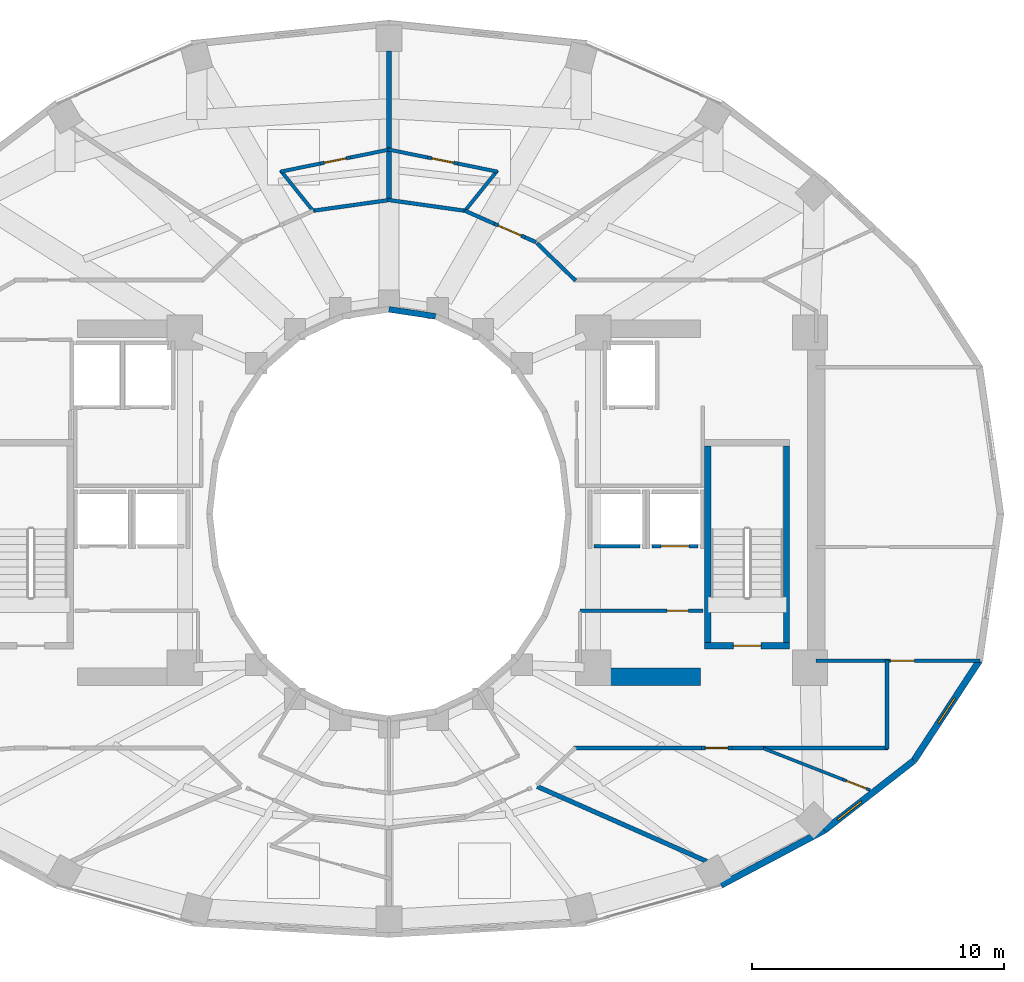
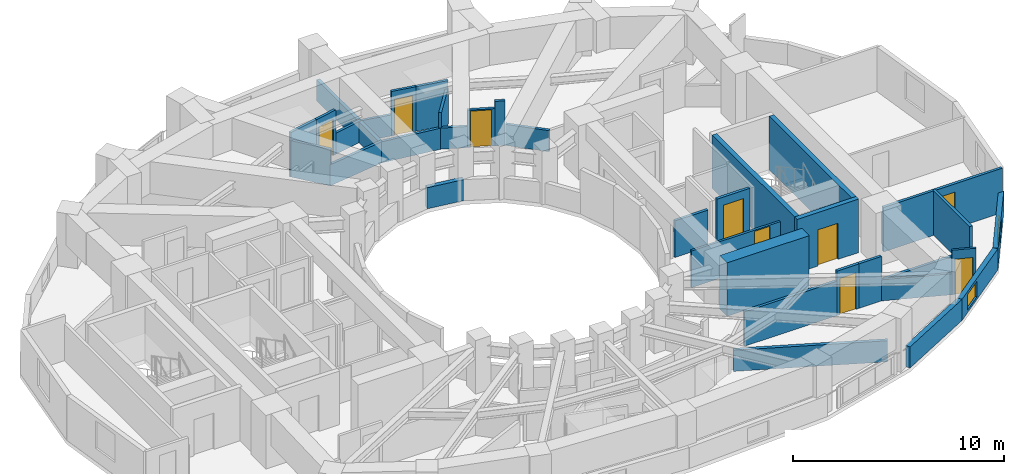
# One storey, part 11 of 16: 35 walls, 9 doors, 2 windows, 11 openings.
"""IFC4 building model written with IfcOpenShell, lengths in metres."""

from ifc_helpers import new_model, si_unit, direction, frame, frame_2d, origin, place, context, subcontext, project, spatial, rectangle, extrude, material, layer, layer_set, type_object, element, fill, save


model = new_model("IFC4")

# Units and contexts
model_context = context("Model", 3, precision=1e-05, world=origin(), true_north=direction((0.0, 1.0)))
body_context = subcontext(model_context, "Body", "Model", "MODEL_VIEW")
ifc_project = project(units=[si_unit("LENGTHUNIT", "METRE"), si_unit("AREAUNIT", "SQUARE_METRE"), si_unit("VOLUMEUNIT", "CUBIC_METRE"), si_unit("PLANEANGLEUNIT", "RADIAN"), si_unit("MASSUNIT", "GRAM", prefix="KILO")], contexts=[model_context])

# Site, building, storey
site_placement = place(None, origin())
site = spatial("IfcSite", under=ifc_project, at=site_placement, CompositionType="ELEMENT")
building_placement = place(site_placement, origin())
building = spatial("IfcBuilding", under=site, at=building_placement, Name="Solvane Sanctuary Tower", CompositionType="ELEMENT")
storey_placement = place(building_placement, frame((0.0, 0.0, 119.699951171875)))
storey = spatial("IfcBuildingStorey", under=building, at=storey_placement, Name="L36", CompositionType="ELEMENT", Elevation=119.699951171875)

# Wall
ifc_material_1 = material(Name="Concrete C60/75", Category="concrete")
ifc_layer_1 = layer(ifc_material_1, 0.699951171875, Name="Concrete C60/75")
ifc_layer_set_1 = layer_set([ifc_layer_1], Name="Concrete C60/75")
wall_type_1 = type_object("IfcWallType", Name="Wall W-CORE-700", PredefinedType="SHEAR", material=ifc_layer_set_1)
wall_1_placement = place(storey_placement, frame((39.85009765625, 16.550048828125, 0.0), z_axis=(0.0, 0.0, 1.0), x_axis=(1.0, 0.0, 0.0)))
element("IfcWall", 1, at=wall_1_placement, inside=storey, type_object=wall_type_1, Name="L36 Core Shear Wall EC-S", PredefinedType="SHEAR", context=body_context, shape_type="SweptSolid", body=[
    extrude(rectangle(XDim=4.5, YDim=0.699951171875, at=frame_2d((2.25, 0.0))), origin(), (0.0, 0.0, 1.0), 3.10009765625),
])

# Wall, opening, door
ifc_material_2 = material(Name="Acoustic Gypsum Partition Board")
ifc_layer_2 = layer(ifc_material_2, 0.14990234375, Name="Acoustic Gypsum Partition Board")
ifc_layer_set_2 = layer_set([ifc_layer_2], Name="Acoustic Gypsum Partition Board")
wall_type_2 = type_object("IfcWallType", Name="Wall W-CORR-150", PredefinedType="PARTITIONING", material=ifc_layer_set_2)
wall_2_placement = place(storey_placement, frame((48.949951171875, 17.1748046875, 0.0), z_axis=(0.0, 0.0, 1.0), x_axis=(1.0, 0.0, 0.0)))
wall_2 = element("IfcWall", 2, at=wall_2_placement, inside=storey, type_object=wall_type_2, Name="L36 East Shoulder South Wall", PredefinedType="PARTITIONING", context=body_context, shape_type="SweptSolid", body=[
    extrude(rectangle(XDim=6.49169921875, YDim=0.14990234375, at=frame_2d((3.245849609375, 0.0))), origin(), (0.0, 0.0, 1.0), 2.574951171875),
])
opening_1_placement = place(wall_2_placement, frame((2.947509765625, 0.0, 0.0)))
opening_1 = element("IfcOpeningElement", 3, at=opening_1_placement, cuts=wall_2, Name="Opening D-L36-09", PredefinedType="OPENING", context=body_context, shape_type="SweptSolid", body=[
    extrude(rectangle(XDim=0.949951171875, YDim=2.10009765625, at=frame_2d((0.47509765625, 1.050048828125))), frame((0.0, 0.0849609375, 0.0), z_axis=(0.0, -1.0, 0.0), x_axis=(1.0, 0.0, 0.0)), (0.0, 0.0, 1.0), 0.169921875),
])
ifc_material_3 = material(Name="Engineered Tropical Hardwood", Category="wood")
door_type_1 = type_object("IfcDoorType", Name="Door D-ROOM-950", OperationType="NOTDEFINED", PredefinedType="DOOR", material=ifc_material_3)
door_1_placement = place(opening_1_placement, origin())
door_1 = element("IfcDoor", 4, at=door_1_placement, inside=storey, type_object=door_type_1, Name="L36 East Shoulder South Door", OperationType="SINGLE_SWING_LEFT", OverallHeight=2.10009765625, OverallWidth=0.949951171875, PredefinedType="DOOR", context=body_context, shape_type="SweptSolid", body=[
    extrude(rectangle(XDim=0.949951171875, YDim=2.10009765625, at=frame_2d((0.47509765625, 1.050048828125))), frame((0.0, 0.02490234375, 0.0), z_axis=(0.0, -1.0, 0.0), x_axis=(1.0, 0.0, 0.0)), (0.0, 0.0, 1.0), 0.050048828125),
])
fill(opening_1, door_1)

# Walls
wall_3_placement = place(storey_placement, frame((37.867431640625, 33.748779296875, 0.0), z_axis=(0.0, 0.0, 1.0), x_axis=(0.717419568599, -0.696641344302, 0.0)))
element("IfcWall", 5, at=wall_3_placement, inside=storey, type_object=wall_type_2, Name="L36 NE Corner Throat Wall", PredefinedType="PARTITIONING", context=body_context, shape_type="SweptSolid", body=[
    extrude(rectangle(XDim=2.138427734375, YDim=0.14990234375, at=frame_2d((1.0693359375, 0.0))), origin(), (0.0, 0.0, 1.0), 1.219970703125),
])
wall_4_placement = place(storey_placement, frame((51.760009765625, 13.679931640625, 0.0), z_axis=(0.0, 0.0, 1.0), x_axis=(0.0, 1.0, 0.0)))
element("IfcWall", 6, at=wall_4_placement, inside=storey, type_object=wall_type_2, Name="L36 SE Corner Closer 1", PredefinedType="PARTITIONING", context=body_context, shape_type="SweptSolid", body=[
    extrude(rectangle(XDim=3.534912109375, YDim=0.14990234375, at=frame_2d((1.767578125, 0.0))), origin(), (0.0, 0.0, 1.0), 2.574951171875),
])
wall_5_placement = place(storey_placement, frame((39.330078125, 13.719970703125, 0.0), z_axis=(0.0, 0.0, 1.0), x_axis=(1.0, 0.0, 0.0)))
element("IfcWall", 7, at=wall_5_placement, inside=storey, type_object=wall_type_2, Name="L36 SE Corner Corridor Wall", PredefinedType="PARTITIONING", context=body_context, shape_type="SweptSolid", body=[
    extrude(rectangle(XDim=5.059814453125, YDim=0.14990234375, at=frame_2d((2.52978515625, 0.0))), origin(), (0.0, 0.0, 1.0), 1.991943359375),
])

# Wall, opening, door
wall_6_placement = place(storey_placement, frame((44.389892578125, 13.719970703125, 0.0), z_axis=(0.0, 0.0, 1.0), x_axis=(1.0, 0.0, 0.0)))
wall_6 = element("IfcWall", 8, at=wall_6_placement, inside=storey, type_object=wall_type_2, Name="L36 SE Corner Corridor Wall", PredefinedType="PARTITIONING", context=body_context, shape_type="SweptSolid", body=[
    extrude(rectangle(XDim=1.22021484375, YDim=0.14990234375, at=frame_2d((0.610107421875, 0.0))), origin(), (0.0, 0.0, 1.0), 2.574951171875),
])
opening_2_placement = place(wall_6_placement, frame((0.159912109375, 0.0, 0.0)))
opening_2 = element("IfcOpeningElement", 9, at=opening_2_placement, cuts=wall_6, Name="Opening D-L36-17", PredefinedType="OPENING", context=body_context, shape_type="SweptSolid", body=[
    extrude(rectangle(XDim=0.89990234375, YDim=2.10009765625, at=frame_2d((0.449951171875, 1.050048828125))), frame((0.0, 0.0849609375, 0.0), z_axis=(0.0, -1.0, 0.0), x_axis=(1.0, 0.0, 0.0)), (0.0, 0.0, 1.0), 0.169921875),
])
door_type_2 = type_object("IfcDoorType", Name="Door D-WET-900", OperationType="NOTDEFINED", PredefinedType="DOOR", material=ifc_material_3)
door_2_placement = place(opening_2_placement, origin())
door_2 = element("IfcDoor", 10, at=door_2_placement, inside=storey, type_object=door_type_2, Name="L36 SE Corner Salon Door", OperationType="SINGLE_SWING_LEFT", OverallHeight=2.10009765625, OverallWidth=0.89990234375, PredefinedType="DOOR", context=body_context, shape_type="SweptSolid", body=[
    extrude(rectangle(XDim=0.89990234375, YDim=2.10009765625, at=frame_2d((0.449951171875, 1.050048828125))), frame((0.0, 0.02490234375, 0.0), z_axis=(0.0, -1.0, 0.0), x_axis=(1.0, 0.0, 0.0)), (0.0, 0.0, 1.0), 0.050048828125),
])
fill(opening_2, door_2)

# Walls
wall_7_placement = place(storey_placement, frame((45.610107421875, 13.719970703125, 0.0), z_axis=(0.0, 0.0, 1.0), x_axis=(1.0, 0.0, 0.0)))
element("IfcWall", 11, at=wall_7_placement, inside=storey, type_object=wall_type_2, Name="L36 SE Corner Corridor Wall", PredefinedType="PARTITIONING", context=body_context, shape_type="SweptSolid", body=[
    extrude(rectangle(XDim=1.239990234375, YDim=0.14990234375, at=frame_2d((0.6201171875, 0.0))), origin(), (0.0, 0.0, 1.0), 2.574951171875),
])
wall_8_placement = place(storey_placement, frame((46.75, 13.719970703125, 0.0), z_axis=(0.0, 0.0, 1.0), x_axis=(1.0, 0.0, 0.0)))
element("IfcWall", 12, at=wall_8_placement, inside=storey, type_object=wall_type_2, Name="L36 SE Corner Wing Wall", PredefinedType="PARTITIONING", context=body_context, shape_type="SweptSolid", body=[
    extrude(rectangle(XDim=5.050048828125, YDim=0.14990234375, at=frame_2d((2.52490234375, 0.0))), origin(), (0.0, 0.0, 1.0), 1.219970703125),
])
wall_9_placement = place(storey_placement, frame((35.06640625, 35.024658203125, 0.0), z_axis=(0.0, 0.0, 1.0), x_axis=(-0.990254405439, 0.139270285808, 0.0)))
element("IfcWall", 13, at=wall_9_placement, inside=storey, type_object=wall_type_2, Name="L36 En-suite Inner Wall N1", PredefinedType="PARTITIONING", context=body_context, shape_type="SweptSolid", body=[
    extrude(rectangle(XDim=3.146728515625, YDim=0.14990234375, at=frame_2d((1.5732421875, 0.0))), origin(), (0.0, 0.0, 1.0), 1.219970703125),
])
wall_10_placement = place(storey_placement, frame((37.8349609375, 33.782958984375, 0.0), z_axis=(0.0, 0.0, 1.0), x_axis=(-0.914564252461, 0.404440636088, 0.0)))
element("IfcWall", 14, at=wall_10_placement, inside=storey, type_object=wall_type_2, Name="L36 Unit Corridor Wall N1", PredefinedType="PARTITIONING", context=body_context, shape_type="SweptSolid", body=[
    extrude(rectangle(XDim=0.48046875, YDim=0.14990234375, at=frame_2d((0.240234375, 0.0))), origin(), (0.0, 0.0, 1.0), 2.574951171875),
])

# Wall, opening, door
wall_11_placement = place(storey_placement, frame((37.3955078125, 33.977294921875, 0.0), z_axis=(0.0, 0.0, 1.0), x_axis=(-0.914352324799, 0.404919530444, 0.0)))
wall_11 = element("IfcWall", 15, at=wall_11_placement, inside=storey, type_object=wall_type_2, Name="L36 Unit Corridor Wall N1", PredefinedType="PARTITIONING", context=body_context, shape_type="SweptSolid", body=[
    extrude(rectangle(XDim=1.31982421875, YDim=0.14990234375, at=frame_2d((0.659912109375, 0.0))), origin(), (0.0, 0.0, 1.0), 2.16015625),
])
opening_3_placement = place(wall_11_placement, frame((0.159912109375, 0.0, 0.0)))
opening_3 = element("IfcOpeningElement", 16, at=opening_3_placement, cuts=wall_11, Name="Opening D-L36-21", PredefinedType="OPENING", context=body_context, shape_type="SweptSolid", body=[
    extrude(rectangle(XDim=1.0, YDim=2.10009765625, at=frame_2d((0.5, 1.050048828125))), frame((0.0, 0.0849609375, 0.0), z_axis=(0.0, -1.0, 0.0), x_axis=(1.0, 0.0, 0.0)), (0.0, 0.0, 1.0), 0.169921875),
])
door_type_3 = type_object("IfcDoorType", Name="Door D-UNIT", OperationType="NOTDEFINED", PredefinedType="DOOR", material=ifc_material_3)
door_3_placement = place(opening_3_placement, origin())
door_3 = element("IfcDoor", 17, at=door_3_placement, inside=storey, type_object=door_type_3, Name="L36 Unit Entrance Door N1", OperationType="SINGLE_SWING_LEFT", OverallHeight=2.10009765625, OverallWidth=1.0, PredefinedType="DOOR", context=body_context, shape_type="SweptSolid", body=[
    extrude(rectangle(XDim=1.0, YDim=2.10009765625, at=frame_2d((0.5, 1.050048828125))), frame((0.0, 0.02490234375, 0.0), z_axis=(0.0, -1.0, 0.0), x_axis=(1.0, 0.0, 0.0)), (0.0, 0.0, 1.0), 0.050048828125),
])
fill(opening_3, door_3)

# Walls
wall_12_placement = place(storey_placement, frame((36.188720703125, 34.51171875, 0.0), z_axis=(0.0, 0.0, 1.0), x_axis=(-0.914512451665, 0.404557753292, 0.0)))
element("IfcWall", 18, at=wall_12_placement, inside=storey, type_object=wall_type_2, Name="L36 Unit Corridor Wall N1", PredefinedType="PARTITIONING", context=body_context, shape_type="SweptSolid", body=[
    extrude(rectangle(XDim=1.290283203125, YDim=0.14990234375, at=frame_2d((0.64501953125, 0.0))), origin(), (0.0, 0.0, 1.0), 1.219970703125),
])
wall_13_placement = place(storey_placement, frame((32.049560546875, 35.462890625, 0.0), z_axis=(0.0, 0.0, 1.0), x_axis=(-0.990254405439, -0.139270285808, 0.0)))
element("IfcWall", 19, at=wall_13_placement, inside=storey, type_object=wall_type_2, Name="L36 En-suite Inner Wall N2", PredefinedType="PARTITIONING", context=body_context, shape_type="SweptSolid", body=[
    extrude(rectangle(XDim=3.146728515625, YDim=0.14990234375, at=frame_2d((1.5732421875, 0.0))), origin(), (0.0, 0.0, 1.0), 1.219970703125),
])
ifc_material_4 = material(Name="Precast concrete C40/50", Category="concrete")
ifc_layer_3 = layer(ifc_material_4, 0.260009765625, Name="Precast concrete C40/50")
ifc_layer_set_3 = layer_set([ifc_layer_3], Name="Precast concrete C40/50")
wall_type_3 = type_object("IfcWallType", Name="Wall W-EXT-250", PredefinedType="STANDARD", material=ifc_layer_set_3)
wall_14_placement = place(storey_placement, frame((45.17333984375, 8.27880859375, 0.0), z_axis=(0.0, 0.0, 1.0), x_axis=(0.883668636807, 0.4681129568, 0.0)))
element("IfcWall", 20, at=wall_14_placement, inside=storey, type_object=wall_type_3, Name="L36 Ceramic-Printed Facade Wall 20", PredefinedType="STANDARD", context=body_context, shape_type="SweptSolid", body=[
    extrude(rectangle(XDim=4.63134765625, YDim=0.260009765625, at=frame_2d((2.315673828125, 0.0))), origin(), (0.0, 0.0, 1.0), 1.219970703125),
])

# Wall, opening, window
wall_15_placement = place(storey_placement, frame((49.265869140625, 10.44677734375, 0.0), z_axis=(0.0, 0.0, 1.0), x_axis=(0.789127449954, 0.614229491094, 0.0)))
wall_15 = element("IfcWall", 21, at=wall_15_placement, inside=storey, type_object=wall_type_3, Name="L36 Ceramic-Printed Facade Wall 21", PredefinedType="STANDARD", context=body_context, shape_type="SweptSolid", body=[
    extrude(rectangle(XDim=4.504638671875, YDim=0.260009765625, at=frame_2d((2.25244140625, 0.0))), origin(), (0.0, 0.0, 1.0), 1.219970703125),
])
opening_4_placement = place(wall_15_placement, frame((0.677490234375, 0.0, 0.14990234375)))
opening_4 = element("IfcOpeningElement", 22, at=opening_4_placement, cuts=wall_15, Name="Opening WN-OPER-1200", PredefinedType="OPENING", context=body_context, shape_type="SweptSolid", body=[
    extrude(rectangle(XDim=1.199951171875, YDim=0.89990234375, at=frame_2d((0.60009765625, 0.449951171875))), frame((0.0, 0.139892578125, 0.0), z_axis=(0.0, -1.0, 0.0), x_axis=(1.0, 0.0, 0.0)), (0.0, 0.0, 1.0), 0.280029296875),
])
ifc_material_5 = material(Name="Dark Ceramic-Fritted Low-E Glass", Category="glass")
window_type = type_object("IfcWindowType", Name="Window WN-OPER-1200", PartitioningType="SINGLE_PANEL", PredefinedType="WINDOW", material=ifc_material_5)
window_1_placement = place(opening_4_placement, origin())
window_1 = element("IfcWindow", 23, at=window_1_placement, inside=storey, type_object=window_type, Name="L36 Operable Facade Window 21", OverallHeight=0.89990234375, OverallWidth=1.199951171875, PartitioningType="SINGLE_PANEL", PredefinedType="WINDOW", context=body_context, shape_type="SweptSolid", body=[
    extrude(rectangle(XDim=1.199951171875, YDim=0.89990234375, at=frame_2d((0.60009765625, 0.449951171875))), frame((0.0, 0.030029296875, 0.0), z_axis=(0.0, -1.0, 0.0), x_axis=(1.0, 0.0, 0.0)), (0.0, 0.0, 1.0), 0.06005859375),
])
fill(opening_4, window_1)

wall_16_placement = place(storey_placement, frame((52.820556640625, 13.213623046875, 0.0), z_axis=(0.0, 0.0, 1.0), x_axis=(0.548283220945, 0.836292717672, 0.0)))
wall_16 = element("IfcWall", 24, at=wall_16_placement, inside=storey, type_object=wall_type_3, Name="L36 Ceramic-Printed Facade Wall 22", PredefinedType="STANDARD", context=body_context, shape_type="SweptSolid", body=[
    extrude(rectangle(XDim=4.744384765625, YDim=0.260009765625, at=frame_2d((2.3720703125, 0.0))), origin(), (0.0, 0.0, 1.0), 1.219970703125),
])
opening_5_placement = place(wall_16_placement, frame((1.772216796875, 0.0, 0.14990234375)))
opening_5 = element("IfcOpeningElement", 25, at=opening_5_placement, cuts=wall_16, Name="Opening WN-OPER-1200", PredefinedType="OPENING", context=body_context, shape_type="SweptSolid", body=[
    extrude(rectangle(XDim=1.199951171875, YDim=0.89990234375, at=frame_2d((0.60009765625, 0.449951171875))), frame((0.0, 0.139892578125, 0.0), z_axis=(0.0, -1.0, 0.0), x_axis=(1.0, 0.0, 0.0)), (0.0, 0.0, 1.0), 0.280029296875),
])
window_2_placement = place(opening_5_placement, origin())
window_2 = element("IfcWindow", 26, at=window_2_placement, inside=storey, type_object=window_type, Name="L36 Operable Facade Window 22", OverallHeight=0.89990234375, OverallWidth=1.199951171875, PartitioningType="SINGLE_PANEL", PredefinedType="WINDOW", context=body_context, shape_type="SweptSolid", body=[
    extrude(rectangle(XDim=1.199951171875, YDim=0.89990234375, at=frame_2d((0.60009765625, 0.449951171875))), frame((0.0, 0.030029296875, 0.0), z_axis=(0.0, -1.0, 0.0), x_axis=(1.0, 0.0, 0.0)), (0.0, 0.0, 1.0), 0.06005859375),
])
fill(opening_5, window_2)

# Walls
ifc_layer_4 = layer(ifc_material_4, 0.22998046875, Name="Precast concrete C40/50")
ifc_layer_set_4 = layer_set([ifc_layer_4], Name="Precast concrete C40/50")
wall_type_4 = type_object("IfcWallType", Name="Wall W-EXT-SP220", PredefinedType="STANDARD", material=ifc_layer_set_4)
wall_17_placement = place(storey_placement, frame((33.8427734375, 30.84326171875, 0.0), z_axis=(0.0, 0.0, 1.0), x_axis=(-0.988901730308, 0.148571086668, 0.0)))
element("IfcWall", 27, at=wall_17_placement, inside=storey, type_object=wall_type_4, Name="L36 Central Light-Well Wall 05", PredefinedType="STANDARD", context=body_context, shape_type="SweptSolid", body=[
    extrude(rectangle(XDim=1.863525390625, YDim=0.22998046875, at=frame_2d((0.931640625, 0.0))), origin(), (0.0, 0.0, 1.0), 1.219970703125),
])
ifc_layer_5 = layer(ifc_material_2, 0.1201171875, Name="Acoustic Gypsum Partition Board")
ifc_layer_set_5 = layer_set([ifc_layer_5], Name="Acoustic Gypsum Partition Board")
wall_type_5 = type_object("IfcWallType", Name="Wall W-MOV-100", PredefinedType="MOVABLE", material=ifc_layer_set_5)
wall_18_placement = place(storey_placement, frame((46.75341796875, 13.73828125, 0.0), z_axis=(0.0, 0.0, 1.0), x_axis=(0.931516768814, -0.36369837698, 0.0)))
element("IfcWall", 28, at=wall_18_placement, inside=storey, type_object=wall_type_5, Name="L36 SE Corner Suite Partition", PredefinedType="MOVABLE", context=body_context, shape_type="SweptSolid", body=[
    extrude(rectangle(XDim=3.48046875, YDim=0.1201171875, at=frame_2d((1.740234375, 0.0))), origin(), (0.0, 0.0, 1.0), 1.219970703125),
])

# Wall, opening, door
wall_19_placement = place(storey_placement, frame((49.99560546875, 12.472412109375, 0.0), z_axis=(0.0, 0.0, 1.0), x_axis=(0.931510380467, -0.36371473861, 0.0)))
wall_19 = element("IfcWall", 29, at=wall_19_placement, inside=storey, type_object=wall_type_5, Name="L36 SE Corner Suite Partition", PredefinedType="MOVABLE", context=body_context, shape_type="SweptSolid", body=[
    extrude(rectangle(XDim=1.169921875, YDim=0.1201171875, at=frame_2d((0.5849609375, 0.0))), origin(), (0.0, 0.0, 1.0), 2.574951171875),
])
opening_6_placement = place(wall_19_placement, frame((0.159912109375, 0.0, 0.0)))
opening_6 = element("IfcOpeningElement", 30, at=opening_6_placement, cuts=wall_19, Name="Opening D-L36-16", PredefinedType="OPENING", context=body_context, shape_type="SweptSolid", body=[
    extrude(rectangle(XDim=0.85009765625, YDim=2.050048828125, at=frame_2d((0.425048828125, 1.02490234375))), frame((0.0, 0.070068359375, 0.0), z_axis=(0.0, -1.0, 0.0), x_axis=(1.0, 0.0, 0.0)), (0.0, 0.0, 1.0), 0.14013671875),
])
ifc_material_6 = material(Name="Architectural Stainless Steel 316", Category="steel")
door_type_4 = type_object("IfcDoorType", Name="Door D-RISER", OperationType="NOTDEFINED", PredefinedType="DOOR", material=ifc_material_6)
door_4_placement = place(opening_6_placement, origin())
door_4 = element("IfcDoor", 31, at=door_4_placement, inside=storey, type_object=door_type_4, Name="L36 SE Corner Suite Door", OperationType="SINGLE_SWING_RIGHT", OverallHeight=2.050048828125, OverallWidth=0.85009765625, PredefinedType="DOOR", context=body_context, shape_type="SweptSolid", body=[
    extrude(rectangle(XDim=0.85009765625, YDim=2.050048828125, at=frame_2d((0.425048828125, 1.02490234375))), frame((0.0, 0.02490234375, 0.0), z_axis=(0.0, -1.0, 0.0), x_axis=(1.0, 0.0, 0.0)), (0.0, 0.0, 1.0), 0.050048828125),
])
fill(opening_6, door_4)

ifc_layer_6 = layer(ifc_material_2, 0.125, Name="Acoustic Gypsum Partition Board")
ifc_layer_set_6 = layer_set([ifc_layer_6], Name="Acoustic Gypsum Partition Board")
wall_type_6 = type_object("IfcWallType", Name="Wall W-PART-125", PredefinedType="PARTITIONING", material=ifc_layer_set_6)
wall_20_placement = place(storey_placement, frame((39.580078125, 19.159912109375, 0.0), z_axis=(0.0, 0.0, 1.0), x_axis=(1.0, 0.0, 0.0)))
wall_20 = element("IfcWall", 32, at=wall_20_placement, inside=storey, type_object=wall_type_6, Name="L36 Reclaimed Room Partition PLE", PredefinedType="PARTITIONING", context=body_context, shape_type="SweptSolid", body=[
    extrude(rectangle(XDim=4.869873046875, YDim=0.125, at=frame_2d((2.43505859375, 0.0))), origin(), (0.0, 0.0, 1.0), 2.1201171875),
])
opening_7_placement = place(wall_20_placement, frame((3.449951171875, 0.0, 0.0)))
opening_7 = element("IfcOpeningElement", 33, at=opening_7_placement, cuts=wall_20, Name="Opening D-L36-07", PredefinedType="OPENING", context=body_context, shape_type="SweptSolid", body=[
    extrude(rectangle(XDim=0.85009765625, YDim=2.050048828125, at=frame_2d((0.425048828125, 1.02490234375))), frame((0.0, 0.072509765625, 0.0), z_axis=(0.0, -1.0, 0.0), x_axis=(1.0, 0.0, 0.0)), (0.0, 0.0, 1.0), 0.14501953125),
])
door_5_placement = place(opening_7_placement, origin())
door_5 = element("IfcDoor", 34, at=door_5_placement, inside=storey, type_object=door_type_4, Name="L36 Reclaimed Room Door PLE-1", OperationType="SINGLE_SWING_LEFT", OverallHeight=2.050048828125, OverallWidth=0.85009765625, PredefinedType="DOOR", context=body_context, shape_type="SweptSolid", body=[
    extrude(rectangle(XDim=0.85009765625, YDim=2.050048828125, at=frame_2d((0.425048828125, 1.02490234375))), frame((0.0, 0.02490234375, 0.0), z_axis=(0.0, -1.0, 0.0), x_axis=(1.0, 0.0, 0.0)), (0.0, 0.0, 1.0), 0.050048828125),
])
fill(opening_7, door_5)

ifc_material_7 = material(Name="Concrete C50/60", Category="concrete")
ifc_layer_7 = layer(ifc_material_7, 0.14990234375, Name="Concrete C50/60")
ifc_layer_set_7 = layer_set([ifc_layer_7], Name="Concrete C50/60")
wall_type_7 = type_object("IfcWallType", Name="Wall W-SHAFT-150", PredefinedType="SOLIDWALL", material=ifc_layer_set_7)
wall_21_placement = place(storey_placement, frame((42.43994140625, 21.719970703125, 0.0), z_axis=(0.0, 0.0, 1.0), x_axis=(1.0, 0.0, 0.0)))
wall_21 = element("IfcWall", 35, at=wall_21_placement, inside=storey, type_object=wall_type_7, Name="L36 PM-2 Lift Shaft Wall F", PredefinedType="SOLIDWALL", context=body_context, shape_type="SweptSolid", body=[
    extrude(rectangle(XDim=1.820068359375, YDim=0.14990234375, at=frame_2d((0.91015625, 0.0))), origin(), (0.0, 0.0, 1.0), 2.574951171875),
])
opening_8_placement = place(wall_21_placement, frame((0.360107421875, 0.0, 0.0)))
opening_8 = element("IfcOpeningElement", 36, at=opening_8_placement, cuts=wall_21, Name="Opening LD-L36-02", PredefinedType="OPENING", context=body_context, shape_type="SweptSolid", body=[
    extrude(rectangle(XDim=1.10009765625, YDim=2.10009765625, at=frame_2d((0.550048828125, 1.050048828125))), frame((0.0, 0.0849609375, 0.0), z_axis=(0.0, -1.0, 0.0), x_axis=(1.0, 0.0, 0.0)), (0.0, 0.0, 1.0), 0.169921875),
])
door_type_5 = type_object("IfcDoorType", Name="Door LD-PASS-1100", OperationType="NOTDEFINED", PredefinedType="DOOR", material=ifc_material_6)
door_6_placement = place(opening_8_placement, origin())
door_6 = element("IfcDoor", 37, at=door_6_placement, inside=storey, type_object=door_type_5, Name="L36 PM-2 Lift Landing Door", OperationType="DOUBLE_DOOR_SLIDING", OverallHeight=2.10009765625, OverallWidth=1.10009765625, PredefinedType="DOOR", context=body_context, shape_type="SweptSolid", body=[
    extrude(rectangle(XDim=1.10009765625, YDim=2.10009765625, at=frame_2d((0.550048828125, 1.050048828125))), frame((0.0, 0.02490234375, 0.0), z_axis=(0.0, -1.0, 0.0), x_axis=(1.0, 0.0, 0.0)), (0.0, 0.0, 1.0), 0.050048828125),
])
fill(opening_8, door_6)

# Wall
wall_22_placement = place(storey_placement, frame((40.139892578125, 21.719970703125, 0.0), z_axis=(0.0, 0.0, 1.0), x_axis=(1.0, 0.0, 0.0)))
element("IfcWall", 38, at=wall_22_placement, inside=storey, type_object=wall_type_7, Name="L36 PH-2 Lift Shaft Wall F", PredefinedType="SOLIDWALL", context=body_context, shape_type="SweptSolid", body=[
    extrude(rectangle(XDim=1.820068359375, YDim=0.14990234375, at=frame_2d((0.91015625, 0.0))), origin(), (0.0, 0.0, 1.0), 2.1201171875),
])

# Wall, opening, door
ifc_layer_8 = layer(ifc_material_7, 0.25, Name="Concrete C50/60")
ifc_layer_set_8 = layer_set([ifc_layer_8], Name="Concrete C50/60")
wall_type_8 = type_object("IfcWallType", Name="Wall W-SHAFT-250", PredefinedType="SOLIDWALL", material=ifc_layer_set_8)
wall_23_placement = place(storey_placement, frame((44.52490234375, 17.77001953125, 0.0), z_axis=(0.0, 0.0, 1.0), x_axis=(1.0, 0.0, 0.0)))
wall_23 = element("IfcWall", 39, at=wall_23_placement, inside=storey, type_object=wall_type_8, Name="L36 ST-2 Load-Bearing Shaft Wall S", PredefinedType="SOLIDWALL", context=body_context, shape_type="SweptSolid", body=[
    extrude(rectangle(XDim=3.3701171875, YDim=0.25, at=frame_2d((1.68505859375, 0.0))), origin(), (0.0, 0.0, 1.0), 3.10009765625),
])
opening_9_placement = place(wall_23_placement, frame((1.135009765625, 0.0, 0.0)))
opening_9 = element("IfcOpeningElement", 40, at=opening_9_placement, cuts=wall_23, Name="Opening D-L36-02", PredefinedType="OPENING", context=body_context, shape_type="SweptSolid", body=[
    extrude(rectangle(XDim=1.10009765625, YDim=2.10009765625, at=frame_2d((0.550048828125, 1.050048828125))), frame((0.0, 0.135009765625, 0.0), z_axis=(0.0, -1.0, 0.0), x_axis=(1.0, 0.0, 0.0)), (0.0, 0.0, 1.0), 0.27001953125),
])
door_type_6 = type_object("IfcDoorType", Name="Door D-STAIR", OperationType="NOTDEFINED", PredefinedType="DOOR", material=ifc_material_6)
door_7_placement = place(opening_9_placement, origin())
door_7 = element("IfcDoor", 41, at=door_7_placement, inside=storey, type_object=door_type_6, Name="L36 ST-2 Exit Stair Fire Door", OperationType="SINGLE_SWING_LEFT", OverallHeight=2.10009765625, OverallWidth=1.10009765625, PredefinedType="DOOR", context=body_context, shape_type="SweptSolid", body=[
    extrude(rectangle(XDim=1.10009765625, YDim=2.10009765625, at=frame_2d((0.550048828125, 1.050048828125))), frame((0.0, 0.02490234375, 0.0), z_axis=(0.0, -1.0, 0.0), x_axis=(1.0, 0.0, 0.0)), (0.0, 0.0, 1.0), 0.050048828125),
])
fill(opening_9, door_7)

# Walls
for number, where, z_axis, x_axis, name in (
    (42, (44.64990234375, 17.89501953125, 0.0), (0.0, 0.0, 1.0), (0.0, 1.0, 0.0), "L36 ST-2 Load-Bearing Shaft Wall W"),
    (43, (47.77001953125, 17.89501953125, 0.0), (0.0, 0.0, 1.0), (0.0, 1.0, 0.0), "L36 ST-2 Load-Bearing Shaft Wall E"),
):
    element("IfcWall", number, at=place(storey_placement, frame(where, z_axis=z_axis, x_axis=x_axis)), inside=storey, type_object=wall_type_8, Name=name, PredefinedType="SOLIDWALL", context=body_context, shape_type="SweptSolid", body=[
        extrude(rectangle(XDim=7.81005859375, YDim=0.25, at=frame_2d((3.905029296875, 0.0))), origin(), (0.0, 0.0, 1.0), 3.10009765625),
    ])
ifc_layer_9 = layer(ifc_material_2, 0.179931640625, Name="Acoustic Gypsum Partition Board")
ifc_layer_set_9 = layer_set([ifc_layer_9], Name="Acoustic Gypsum Partition Board")
wall_type_9 = type_object("IfcWallType", Name="Wall W-UNIT-180", PredefinedType="PARTITIONING", material=ifc_layer_set_9)
wall_24_placement = place(storey_placement, frame((32.0, 35.510986328125, 0.0), z_axis=(0.0, 0.0, 1.0), x_axis=(0.0, 1.0, 0.0)))
element("IfcWall", 44, at=wall_24_placement, inside=storey, type_object=wall_type_9, Name="L36 Radial Compartment Wall 090", PredefinedType="PARTITIONING", context=body_context, shape_type="SweptSolid", body=[
    extrude(rectangle(XDim=5.864013671875, YDim=0.179931640625, at=frame_2d((2.93212890625, 0.0))), origin(), (0.0, 0.0, 1.0), 1.219970703125),
])
wall_25_placement = place(storey_placement, frame((37.87841796875, 12.190673828125, 0.0), z_axis=(0.0, 0.0, 1.0), x_axis=(0.914765930761, -0.403984271872, 0.0)))
element("IfcWall", 45, at=wall_25_placement, inside=storey, type_object=wall_type_9, Name="L36 Radial Compartment Wall 300", PredefinedType="PARTITIONING", context=body_context, shape_type="SweptSolid", body=[
    extrude(rectangle(XDim=7.35400390625, YDim=0.179931640625, at=frame_2d((3.677001953125, 0.0))), origin(), (0.0, 0.0, 1.0), 1.219970703125),
])
ifc_layer_10 = layer(ifc_material_2, 0.139892578125, Name="Acoustic Gypsum Partition Board")
ifc_layer_set_10 = layer_set([ifc_layer_10], Name="Acoustic Gypsum Partition Board")
wall_type_10 = type_object("IfcWallType", Name="Wall W-WET-140", PredefinedType="PLUMBINGWALL", material=ifc_layer_set_10)
wall_26_placement = place(storey_placement, frame((34.985595703125, 34.99267578125, 0.0), z_axis=(0.0, 0.0, 1.0), x_axis=(0.626196812755, 0.779665025313, 0.0)))
element("IfcWall", 46, at=wall_26_placement, inside=storey, type_object=wall_type_10, Name="L36 En-suite Side Partition N1", PredefinedType="PLUMBINGWALL", context=body_context, shape_type="SweptSolid", body=[
    extrude(rectangle(XDim=2.099853515625, YDim=0.139892578125, at=frame_2d((1.0498046875, 0.0))), origin(), (0.0, 0.0, 1.0), 2.10498046875),
])
wall_27_placement = place(storey_placement, frame((36.318115234375, 36.5810546875, 0.0), z_axis=(0.0, 0.0, 1.0), x_axis=(-0.980084252106, 0.198582120981, 0.0)))
element("IfcWall", 47, at=wall_27_placement, inside=storey, type_object=wall_type_10, Name="L36 En-suite Bedroom Wall N1", PredefinedType="PLUMBINGWALL", context=body_context, shape_type="SweptSolid", body=[
    extrude(rectangle(XDim=1.617919921875, YDim=0.139892578125, at=frame_2d((0.80908203125, 0.0))), origin(), (0.0, 0.0, 1.0), 2.574951171875),
])

# Wall, opening, door
wall_28_placement = place(storey_placement, frame((34.732421875, 36.90234375, 0.0), z_axis=(0.0, 0.0, 1.0), x_axis=(-0.980100606421, 0.198501388642, 0.0)))
wall_28 = element("IfcWall", 48, at=wall_28_placement, inside=storey, type_object=wall_type_10, Name="L36 En-suite Bedroom Wall N1", PredefinedType="PLUMBINGWALL", context=body_context, shape_type="SweptSolid", body=[
    extrude(rectangle(XDim=1.219970703125, YDim=0.139892578125, at=frame_2d((0.60986328125, 0.0))), origin(), (0.0, 0.0, 1.0), 2.574951171875),
])
opening_10_placement = place(wall_28_placement, frame((0.159912109375, 0.0, 0.0)))
opening_10 = element("IfcOpeningElement", 49, at=opening_10_placement, cuts=wall_28, Name="Opening D-L36-20", PredefinedType="OPENING", context=body_context, shape_type="SweptSolid", body=[
    extrude(rectangle(XDim=0.89990234375, YDim=2.10009765625, at=frame_2d((0.449951171875, 1.050048828125))), frame((0.0, 0.079833984375, 0.0), z_axis=(0.0, -1.0, 0.0), x_axis=(1.0, 0.0, 0.0)), (0.0, 0.0, 1.0), 0.159912109375),
])
door_8_placement = place(opening_10_placement, origin())
door_8 = element("IfcDoor", 50, at=door_8_placement, inside=storey, type_object=door_type_2, Name="L36 En-suite Bathroom Door N1", OperationType="SINGLE_SWING_RIGHT", OverallHeight=2.10009765625, OverallWidth=0.89990234375, PredefinedType="DOOR", context=body_context, shape_type="SweptSolid", body=[
    extrude(rectangle(XDim=0.89990234375, YDim=2.10009765625, at=frame_2d((0.449951171875, 1.050048828125))), frame((0.0, 0.02490234375, 0.0), z_axis=(0.0, -1.0, 0.0), x_axis=(1.0, 0.0, 0.0)), (0.0, 0.0, 1.0), 0.050048828125),
])
fill(opening_10, door_8)

# Walls
wall_29_placement = place(storey_placement, frame((33.53662109375, 37.14453125, 0.0), z_axis=(0.0, 0.0, 1.0), x_axis=(-0.980084252106, 0.198582120981, 0.0)))
element("IfcWall", 51, at=wall_29_placement, inside=storey, type_object=wall_type_10, Name="L36 En-suite Bedroom Wall N1", PredefinedType="PLUMBINGWALL", context=body_context, shape_type="SweptSolid", body=[
    extrude(rectangle(XDim=1.617919921875, YDim=0.139892578125, at=frame_2d((0.80908203125, 0.0))), origin(), (0.0, 0.0, 1.0), 1.219970703125),
])
wall_30_placement = place(storey_placement, frame((29.014404296875, 34.99267578125, 0.0), z_axis=(0.0, 0.0, 1.0), x_axis=(-0.626196812755, 0.779665025313, 0.0)))
element("IfcWall", 52, at=wall_30_placement, inside=storey, type_object=wall_type_10, Name="L36 En-suite Side Partition N2", PredefinedType="PLUMBINGWALL", context=body_context, shape_type="SweptSolid", body=[
    extrude(rectangle(XDim=2.099853515625, YDim=0.139892578125, at=frame_2d((1.0498046875, 0.0))), origin(), (0.0, 0.0, 1.0), 2.10498046875),
])
wall_31_placement = place(storey_placement, frame((32.049072265625, 37.4658203125, 0.0), z_axis=(0.0, 0.0, 1.0), x_axis=(-0.980090201438, -0.198552756326, 0.0)))
element("IfcWall", 53, at=wall_31_placement, inside=storey, type_object=wall_type_10, Name="L36 En-suite Bedroom Wall N2", PredefinedType="PLUMBINGWALL", context=body_context, shape_type="SweptSolid", body=[
    extrude(rectangle(XDim=1.6181640625, YDim=0.139892578125, at=frame_2d((0.80908203125, 0.0))), origin(), (0.0, 0.0, 1.0), 1.219970703125),
])

# Wall, opening, door
wall_32_placement = place(storey_placement, frame((30.463134765625, 37.14453125, 0.0), z_axis=(0.0, 0.0, 1.0), x_axis=(-0.980092719514, -0.198540326273, 0.0)))
wall_32 = element("IfcWall", 54, at=wall_32_placement, inside=storey, type_object=wall_type_10, Name="L36 En-suite Bedroom Wall N2", PredefinedType="PLUMBINGWALL", context=body_context, shape_type="SweptSolid", body=[
    extrude(rectangle(XDim=1.2197265625, YDim=0.139892578125, at=frame_2d((0.60986328125, 0.0))), origin(), (0.0, 0.0, 1.0), 2.574951171875),
])
opening_11_placement = place(wall_32_placement, frame((0.159912109375, 0.0, 0.0)))
opening_11 = element("IfcOpeningElement", 55, at=opening_11_placement, cuts=wall_32, Name="Opening D-L36-22", PredefinedType="OPENING", context=body_context, shape_type="SweptSolid", body=[
    extrude(rectangle(XDim=0.89990234375, YDim=2.10009765625, at=frame_2d((0.449951171875, 1.050048828125))), frame((0.0, 0.079833984375, 0.0), z_axis=(0.0, -1.0, 0.0), x_axis=(1.0, 0.0, 0.0)), (0.0, 0.0, 1.0), 0.159912109375),
])
door_9_placement = place(opening_11_placement, origin())
door_9 = element("IfcDoor", 56, at=door_9_placement, inside=storey, type_object=door_type_2, Name="L36 En-suite Bathroom Door N2", OperationType="SINGLE_SWING_RIGHT", OverallHeight=2.10009765625, OverallWidth=0.89990234375, PredefinedType="DOOR", context=body_context, shape_type="SweptSolid", body=[
    extrude(rectangle(XDim=0.89990234375, YDim=2.10009765625, at=frame_2d((0.449951171875, 1.050048828125))), frame((0.0, 0.02490234375, 0.0), z_axis=(0.0, -1.0, 0.0), x_axis=(1.0, 0.0, 0.0)), (0.0, 0.0, 1.0), 0.050048828125),
])
fill(opening_11, door_9)

# Wall
wall_33_placement = place(storey_placement, frame((29.267578125, 36.90234375, 0.0), z_axis=(0.0, 0.0, 1.0), x_axis=(-0.980084252106, -0.198582120981, 0.0)))
element("IfcWall", 57, at=wall_33_placement, inside=storey, type_object=wall_type_10, Name="L36 En-suite Bedroom Wall N2", PredefinedType="PLUMBINGWALL", context=body_context, shape_type="SweptSolid", body=[
    extrude(rectangle(XDim=1.617919921875, YDim=0.139892578125, at=frame_2d((0.80908203125, 0.0))), origin(), (0.0, 0.0, 1.0), 2.574951171875),
])

save(model, "model.ifc")
